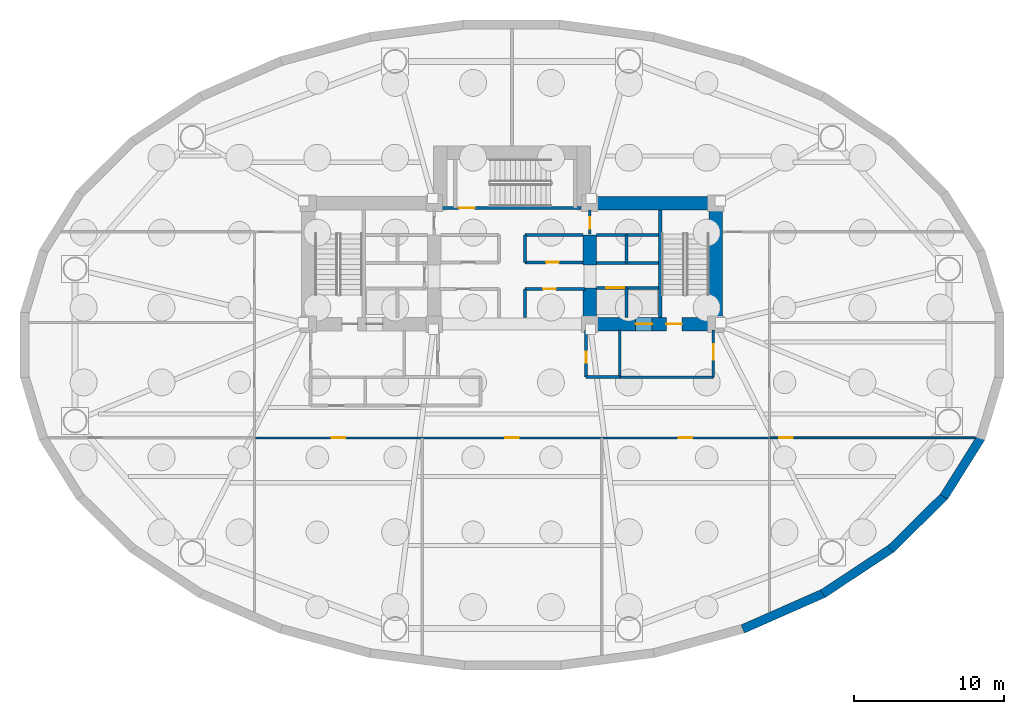
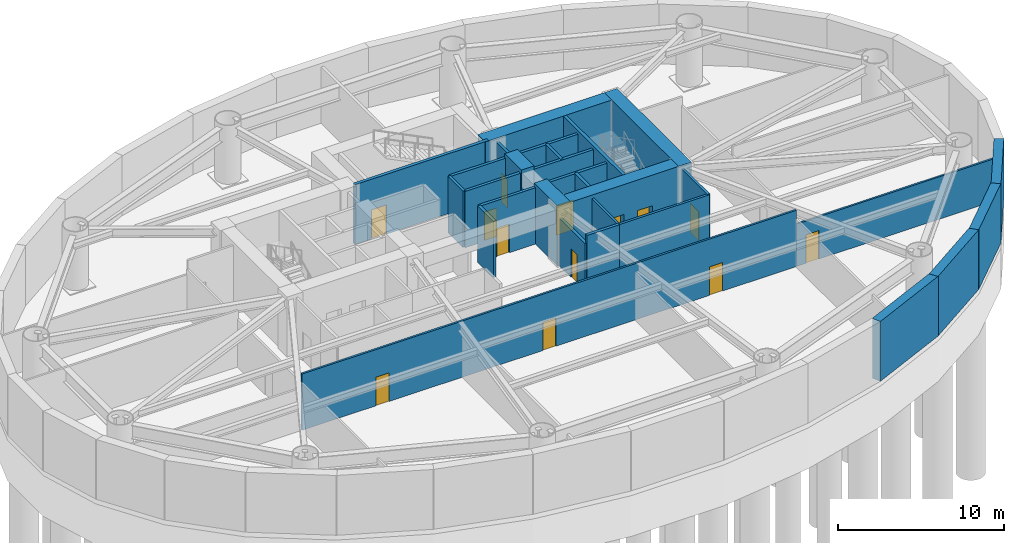
# One storey, part 4 of 7: 29 walls, 13 doors, 13 openings.
"""IFC4 building model written with IfcOpenShell, lengths in metres."""

from ifc_helpers import new_model, si_unit, direction, frame, frame_2d, origin, place, context, subcontext, project, spatial, rectangle, extrude, material, layer, layer_set, type_object, element, fill, save


model = new_model("IFC4")

# Units and contexts
model_context = context("Model", 3, precision=1e-05, world=origin(), true_north=direction((0.0, 1.0)))
body_context = subcontext(model_context, "Body", "Model", "MODEL_VIEW")
ifc_project = project(units=[si_unit("LENGTHUNIT", "METRE"), si_unit("AREAUNIT", "SQUARE_METRE"), si_unit("VOLUMEUNIT", "CUBIC_METRE"), si_unit("PLANEANGLEUNIT", "RADIAN"), si_unit("MASSUNIT", "GRAM", prefix="KILO")], contexts=[model_context])

# Site, building, storey
site_placement = place(None, origin())
site = spatial("IfcSite", under=ifc_project, at=site_placement, CompositionType="ELEMENT")
building_placement = place(site_placement, origin())
building = spatial("IfcBuilding", under=site, at=building_placement, Name="Keldmark Tower", CompositionType="ELEMENT")
storey_placement = place(building_placement, frame((0.0, 0.0, -8.800048828125)))
storey = spatial("IfcBuildingStorey", under=building, at=storey_placement, Name="B02", CompositionType="ELEMENT", Elevation=-8.800048828125)

# Wall, openings, doors
ifc_material_1 = material(Name="Acoustic Double-Layer Gypsum Corridor Partition", Category="gypsum")
ifc_layer_1 = layer(ifc_material_1, 0.139892578125)
ifc_layer_set_1 = layer_set([ifc_layer_1], Name="Acoustic Double-Layer Gypsum Corridor Partition")
wall_type_1 = type_object("IfcWallType", Name="Acoustic Corridor Partition 140 mm", PredefinedType="PARTITIONING", material=ifc_layer_set_1)
wall_1_placement = place(storey_placement, frame((-17.199951171875, -6.199951171875, 0.0), z_axis=(0.0, 0.0, 1.0), x_axis=(1.0, 0.0, 0.0)))
wall_1 = element("IfcWall", 1, at=wall_1_placement, inside=storey, type_object=wall_type_1, Name="B02 Acoustic Corridor Partition 140 mm COR-S", PredefinedType="PARTITIONING", context=body_context, shape_type="SweptSolid", body=[
    extrude(rectangle(XDim=34.39990234375, YDim=0.139892578125, at=frame_2d((17.199951171875, 0.0))), origin(), (0.0, 0.0, 1.0), 4.14013671875),
])
opening_1_placement = place(wall_1_placement, frame((5.14990234375, 0.0, 0.0)))
opening_1 = element("IfcOpeningElement", 2, at=opening_1_placement, cuts=wall_1, Name="Opening D-IN090", PredefinedType="OPENING", context=body_context, shape_type="SweptSolid", body=[
    extrude(rectangle(XDim=0.89990234375, YDim=2.10009765625, at=frame_2d((0.449951171875, 1.050048828125))), frame((0.0, 0.079833984375, 0.0), z_axis=(0.0, -1.0, 0.0), x_axis=(1.0, 0.0, 0.0)), (0.0, 0.0, 1.0), 0.159912109375),
])
opening_2_placement = place(wall_1_placement, frame((16.75, 0.0, 0.0)))
opening_2 = element("IfcOpeningElement", 3, at=opening_2_placement, cuts=wall_1, Name="Opening D-IN090", PredefinedType="OPENING", context=body_context, shape_type="SweptSolid", body=[
    extrude(rectangle(XDim=0.89990234375, YDim=2.10009765625, at=frame_2d((0.449951171875, 1.050048828125))), frame((0.0, 0.079833984375, 0.0), z_axis=(0.0, -1.0, 0.0), x_axis=(1.0, 0.0, 0.0)), (0.0, 0.0, 1.0), 0.159912109375),
])
opening_3_placement = place(wall_1_placement, frame((28.35009765625, 0.0, 0.0)))
opening_3 = element("IfcOpeningElement", 4, at=opening_3_placement, cuts=wall_1, Name="Opening D-IN090", PredefinedType="OPENING", context=body_context, shape_type="SweptSolid", body=[
    extrude(rectangle(XDim=0.89990234375, YDim=2.10009765625, at=frame_2d((0.449951171875, 1.050048828125))), frame((0.0, 0.079833984375, 0.0), z_axis=(0.0, -1.0, 0.0), x_axis=(1.0, 0.0, 0.0)), (0.0, 0.0, 1.0), 0.159912109375),
])
ifc_material_2 = material(Name="Stained American White Oak Veneer", Category="wood")
door_type_1 = type_object("IfcDoorType", Name="Interior Door 900x2100", OperationType="NOTDEFINED", PredefinedType="DOOR", material=ifc_material_2)
door_1_placement = place(opening_1_placement, origin())
door_1 = element("IfcDoor", 5, at=door_1_placement, inside=storey, type_object=door_type_1, Name="B02 Interior Door 900x2100 D-SR-1-B02", OperationType="SINGLE_SWING_LEFT", OverallHeight=2.10009765625, OverallWidth=0.89990234375, PredefinedType="DOOR", context=body_context, shape_type="SweptSolid", body=[
    extrude(rectangle(XDim=0.89990234375, YDim=2.10009765625, at=frame_2d((0.449951171875, 1.050048828125))), frame((0.0, 0.02490234375, 0.0), z_axis=(0.0, -1.0, 0.0), x_axis=(1.0, 0.0, 0.0)), (0.0, 0.0, 1.0), 0.050048828125),
])
fill(opening_1, door_1)
door_2_placement = place(opening_2_placement, origin())
door_2 = element("IfcDoor", 6, at=door_2_placement, inside=storey, type_object=door_type_1, Name="B02 Interior Door 900x2100 D-SR-2-B02", OperationType="SINGLE_SWING_RIGHT", OverallHeight=2.10009765625, OverallWidth=0.89990234375, PredefinedType="DOOR", context=body_context, shape_type="SweptSolid", body=[
    extrude(rectangle(XDim=0.89990234375, YDim=2.10009765625, at=frame_2d((0.449951171875, 1.050048828125))), frame((0.0, 0.02490234375, 0.0), z_axis=(0.0, -1.0, 0.0), x_axis=(1.0, 0.0, 0.0)), (0.0, 0.0, 1.0), 0.050048828125),
])
fill(opening_2, door_2)
door_3_placement = place(opening_3_placement, origin())
door_3 = element("IfcDoor", 7, at=door_3_placement, inside=storey, type_object=door_type_1, Name="B02 Interior Door 900x2100 D-SR-3-B02", OperationType="SINGLE_SWING_LEFT", OverallHeight=2.10009765625, OverallWidth=0.89990234375, PredefinedType="DOOR", context=body_context, shape_type="SweptSolid", body=[
    extrude(rectangle(XDim=0.89990234375, YDim=2.10009765625, at=frame_2d((0.449951171875, 1.050048828125))), frame((0.0, 0.02490234375, 0.0), z_axis=(0.0, -1.0, 0.0), x_axis=(1.0, 0.0, 0.0)), (0.0, 0.0, 1.0), 0.050048828125),
])
fill(opening_3, door_3)

# Walls
ifc_material_3 = material(Name="Concrete C50/60", Category="concrete")
ifc_layer_2 = layer(ifc_material_3, 0.60009765625)
ifc_layer_set_2 = layer_set([ifc_layer_2], Name="Concrete C50/60")
wall_type_2 = type_object("IfcWallType", Name="Basement Retaining Wall 600 mm", PredefinedType="USERDEFINED", material=ifc_layer_set_2)
wall_2_placement = place(storey_placement, frame((15.407470703125, -18.963623046875, 0.0), z_axis=(0.0, 0.0, 1.0), x_axis=(0.91483072277, 0.403837527574, 0.0)))
element("IfcWall", 8, at=wall_2_placement, inside=storey, type_object=wall_type_2, Name="B02 Perimeter Retaining Wall 27", ObjectType="RETAINING WALL", PredefinedType="USERDEFINED", context=body_context, shape_type="SweptSolid", body=[
    extrude(rectangle(XDim=5.939697265625, YDim=0.60009765625, at=frame_2d((2.9697265625, 0.0))), origin(), (0.0, 0.0, 1.0), 4.400146484375),
])
wall_3_placement = place(storey_placement, frame((20.74462890625, -16.617919921875, 0.0), z_axis=(0.0, 0.0, 1.0), x_axis=(0.834367518908, 0.551208529861, 0.0)))
element("IfcWall", 9, at=wall_3_placement, inside=storey, type_object=wall_type_2, Name="B02 Perimeter Retaining Wall 28", ObjectType="RETAINING WALL", PredefinedType="USERDEFINED", context=body_context, shape_type="SweptSolid", body=[
    extrude(rectangle(XDim=5.542236328125, YDim=0.60009765625, at=frame_2d((2.77099609375, 0.0))), origin(), (0.0, 0.0, 1.0), 4.400146484375),
])
wall_4_placement = place(storey_placement, frame((25.277099609375, -13.6376953125, 0.0), z_axis=(0.0, 0.0, 1.0), x_axis=(0.711105403666, 0.70308541791, 0.0)))
element("IfcWall", 10, at=wall_4_placement, inside=storey, type_object=wall_type_2, Name="B02 Perimeter Retaining Wall 29", ObjectType="RETAINING WALL", PredefinedType="USERDEFINED", context=body_context, shape_type="SweptSolid", body=[
    extrude(rectangle(XDim=5.1142578125, YDim=0.60009765625, at=frame_2d((2.55712890625, 0.0))), origin(), (0.0, 0.0, 1.0), 4.400146484375),
])
wall_5_placement = place(storey_placement, frame((28.833251953125, -10.142333984375, 0.0), z_axis=(0.0, 0.0, 1.0), x_axis=(0.531244363113, 0.847218641592, 0.0)))
element("IfcWall", 11, at=wall_5_placement, inside=storey, type_object=wall_type_2, Name="B02 Perimeter Retaining Wall 30", ObjectType="RETAINING WALL", PredefinedType="USERDEFINED", context=body_context, shape_type="SweptSolid", body=[
    extrude(rectangle(XDim=4.72021484375, YDim=0.60009765625, at=frame_2d((2.360107421875, 0.0))), origin(), (0.0, 0.0, 1.0), 4.400146484375),
])

# Wall, opening, door
ifc_material_4 = material(Name="Acoustic Gypsum Board Interior Partition", Category="gypsum")
ifc_layer_3 = layer(ifc_material_4, 0.1298828125)
ifc_layer_set_3 = layer_set([ifc_layer_3], Name="Acoustic Gypsum Board Interior Partition")
wall_type_3 = type_object("IfcWallType", Name="Interior Partition 130 mm", PredefinedType="PARTITIONING", material=ifc_layer_set_3)
wall_6_placement = place(storey_placement, frame((17.199951171875, -6.199951171875, 0.0), z_axis=(0.0, 0.0, 1.0), x_axis=(1.0, 0.0, 0.0)))
wall_6 = element("IfcWall", 12, at=wall_6_placement, inside=storey, type_object=wall_type_3, Name="B02 Interior Partition 130 mm E-CAP-S", PredefinedType="PARTITIONING", context=body_context, shape_type="SweptSolid", body=[
    extrude(rectangle(XDim=13.741943359375, YDim=0.1298828125, at=frame_2d((6.87109375, 0.0))), origin(), (0.0, 0.0, 1.0), 3.1181640625),
])
opening_4_placement = place(wall_6_placement, frame((0.64990234375, 0.0, 0.0)))
opening_4 = element("IfcOpeningElement", 13, at=opening_4_placement, cuts=wall_6, Name="Opening D-IN090", PredefinedType="OPENING", context=body_context, shape_type="SweptSolid", body=[
    extrude(rectangle(XDim=0.89990234375, YDim=2.10009765625, at=frame_2d((0.449951171875, 1.050048828125))), frame((0.0, 0.074951171875, 0.0), z_axis=(0.0, -1.0, 0.0), x_axis=(1.0, 0.0, 0.0)), (0.0, 0.0, 1.0), 0.14990234375),
])
door_4_placement = place(opening_4_placement, origin())
door_4 = element("IfcDoor", 14, at=door_4_placement, inside=storey, type_object=door_type_1, Name="B02 Interior Door 900x2100 D-ERSE-B02", OperationType="SINGLE_SWING_RIGHT", OverallHeight=2.10009765625, OverallWidth=0.89990234375, PredefinedType="DOOR", context=body_context, shape_type="SweptSolid", body=[
    extrude(rectangle(XDim=0.89990234375, YDim=2.10009765625, at=frame_2d((0.449951171875, 1.050048828125))), frame((0.0, 0.02490234375, 0.0), z_axis=(0.0, -1.0, 0.0), x_axis=(1.0, 0.0, 0.0)), (0.0, 0.0, 1.0), 0.050048828125),
])
fill(opening_4, door_4)

# Walls
ifc_material_5 = material(Name="Concrete C70/85", Category="concrete")
ifc_layer_4 = layer(ifc_material_5, 0.89990234375)
ifc_layer_set_4 = layer_set([ifc_layer_4], Name="Concrete C70/85")
wall_type_4 = type_object("IfcWallType", Name="Lower Core Shear Wall 900 mm", PredefinedType="SHEAR", material=ifc_layer_set_4)
wall_7_placement = place(storey_placement, frame((13.60009765625, 0.949951171875, 0.0), z_axis=(0.0, 0.0, 1.0), x_axis=(0.0, 1.0, 0.0)))
element("IfcWall", 15, at=wall_7_placement, inside=storey, type_object=wall_type_4, Name="B02 East Core Outer Shear Wall", PredefinedType="SHEAR", context=body_context, shape_type="SweptSolid", body=[
    extrude(rectangle(XDim=8.949951171875, YDim=0.89990234375, at=frame_2d((4.47509765625, 0.0))), origin(), (0.0, 0.0, 1.0), 4.400146484375),
])
wall_8_placement = place(storey_placement, frame((4.35009765625, 9.449951171875, 0.0), z_axis=(0.0, 0.0, 1.0), x_axis=(1.0, 0.0, 0.0)))
element("IfcWall", 16, at=wall_8_placement, inside=storey, type_object=wall_type_4, Name="B02 East Core North Shear Wall", PredefinedType="SHEAR", context=body_context, shape_type="SweptSolid", body=[
    extrude(rectangle(XDim=9.699951171875, YDim=0.89990234375, at=frame_2d((4.85009765625, 0.0))), origin(), (0.0, 0.0, 1.0), 4.400146484375),
])

# Wall, openings, doors
wall_9_placement = place(storey_placement, frame((14.050048828125, 1.39990234375, 0.0), z_axis=(0.0, 0.0, 1.0), x_axis=(-1.0, 0.0, 0.0)))
wall_9 = element("IfcWall", 17, at=wall_9_placement, inside=storey, type_object=wall_type_4, Name="B02 East Core South Shear Wall", PredefinedType="SHEAR", context=body_context, shape_type="SweptSolid", body=[
    extrude(rectangle(XDim=9.300048828125, YDim=0.89990234375, at=frame_2d((4.64990234375, 0.0))), origin(), (0.0, 0.0, 1.0), 4.400146484375),
])
opening_5_placement = place(wall_9_placement, frame((2.699951171875, 0.0, 0.0)))
opening_5 = element("IfcOpeningElement", 18, at=opening_5_placement, cuts=wall_9, Name="Opening D-ST105", PredefinedType="OPENING", context=body_context, shape_type="SweptSolid", body=[
    extrude(rectangle(XDim=1.050048828125, YDim=2.14990234375, at=frame_2d((0.52490234375, 1.074951171875))), frame((0.0, 0.4599609375, 0.0), z_axis=(0.0, -1.0, 0.0), x_axis=(1.0, 0.0, 0.0)), (0.0, 0.0, 1.0), 0.919921875),
])
opening_6_placement = place(wall_9_placement, frame((4.699951171875, 0.0, 0.0)))
opening_6 = element("IfcOpeningElement", 19, at=opening_6_placement, cuts=wall_9, Name="Opening LD-110", PredefinedType="OPENING", context=body_context, shape_type="SweptSolid", body=[
    extrude(rectangle(XDim=1.10009765625, YDim=2.199951171875, at=frame_2d((0.550048828125, 1.10009765625))), frame((0.0, 0.4599609375, 0.0), z_axis=(0.0, -1.0, 0.0), x_axis=(1.0, 0.0, 0.0)), (0.0, 0.0, 1.0), 0.919921875),
])
ifc_material_6 = material(Name="Brushed Bronze Hoistway Sliding Leaf", Category="metal")
door_type_2 = type_object("IfcDoorType", Name="Lift Landing Sliding Door 1100x2200", OperationType="SLIDING_TO_LEFT", PredefinedType="DOOR", material=ifc_material_6)
door_5_placement = place(opening_6_placement, origin())
door_5 = element("IfcDoor", 20, at=door_5_placement, inside=storey, type_object=door_type_2, Name="B02 Lift Landing Sliding Door 1100x2200 LD-EL-FS2-B02", OperationType="SLIDING_TO_LEFT", OverallHeight=2.199951171875, OverallWidth=1.10009765625, PredefinedType="DOOR", context=body_context, shape_type="SweptSolid", body=[
    extrude(rectangle(XDim=1.10009765625, YDim=2.199951171875, at=frame_2d((0.550048828125, 1.10009765625))), frame((0.0, 0.02490234375, 0.0), z_axis=(0.0, -1.0, 0.0), x_axis=(1.0, 0.0, 0.0)), (0.0, 0.0, 1.0), 0.050048828125),
])
fill(opening_6, door_5)
ifc_material_7 = material(Name="Hollow Metal Fire-Rated Door Assembly", Category="metal")
door_type_3 = type_object("IfcDoorType", Name="Stair Fire Door 1050x2150", OperationType="NOTDEFINED", PredefinedType="DOOR", material=ifc_material_7)
door_6_placement = place(opening_5_placement, origin())
door_6 = element("IfcDoor", 21, at=door_6_placement, inside=storey, type_object=door_type_3, Name="B02 Stair Fire Door 1050x2150 D-ST2-B02", OperationType="SINGLE_SWING_LEFT", OverallHeight=2.14990234375, OverallWidth=1.050048828125, PredefinedType="DOOR", context=body_context, shape_type="SweptSolid", body=[
    extrude(rectangle(XDim=1.050048828125, YDim=2.14990234375, at=frame_2d((0.52490234375, 1.074951171875))), frame((0.0, 0.02490234375, 0.0), z_axis=(0.0, -1.0, 0.0), x_axis=(1.0, 0.0, 0.0)), (0.0, 0.0, 1.0), 0.050048828125),
])
fill(opening_5, door_6)

# Walls
wall_10_placement = place(storey_placement, frame((5.199951171875, 0.949951171875, 0.0), z_axis=(0.0, 0.0, 1.0), x_axis=(0.0, 1.0, 0.0)))
element("IfcWall", 22, at=wall_10_placement, inside=storey, type_object=wall_type_4, Name="B02 East Core Inner Shear Pier South", PredefinedType="SHEAR", context=body_context, shape_type="SweptSolid", body=[
    extrude(rectangle(XDim=2.85009765625, YDim=0.89990234375, at=frame_2d((1.425048828125, 0.0))), origin(), (0.0, 0.0, 1.0), 4.400146484375),
])
wall_11_placement = place(storey_placement, frame((5.199951171875, 5.35009765625, 0.0), z_axis=(0.0, 0.0, 1.0), x_axis=(0.0, 1.0, 0.0)))
element("IfcWall", 23, at=wall_11_placement, inside=storey, type_object=wall_type_4, Name="B02 East Core Inner Shear Pier North", PredefinedType="SHEAR", context=body_context, shape_type="SweptSolid", body=[
    extrude(rectangle(XDim=2.0, YDim=0.89990234375, at=frame_2d((1.0, 0.0))), origin(), (0.0, 0.0, 1.0), 4.400146484375),
])
ifc_material_8 = material(Name="Type X Fire-Rated Gypsum Partition Assembly", Category="gypsum")
ifc_layer_5 = layer(ifc_material_8, 0.1650390625)
ifc_layer_set_5 = layer_set([ifc_layer_5], Name="Type X Fire-Rated Gypsum Partition Assembly")
wall_type_5 = type_object("IfcWallType", Name="Rated Partition 165 mm", PredefinedType="PARTITIONING", material=ifc_layer_set_5)
wall_12_placement = place(storey_placement, frame((7.199951171875, -2.14990234375, 0.0), z_axis=(0.0, 0.0, 1.0), x_axis=(1.0, 0.0, 0.0)))
element("IfcWall", 24, at=wall_12_placement, inside=storey, type_object=wall_type_5, Name="B02 Rated Partition 165 mm FSAE-E-S", PredefinedType="PARTITIONING", context=body_context, shape_type="SweptSolid", body=[
    extrude(rectangle(XDim=6.25, YDim=0.1650390625, at=frame_2d((3.125, 0.0))), origin(), (0.0, 0.0, 1.0), 4.14013671875),
])
wall_13_placement = place(storey_placement, frame((7.199951171875, -2.14990234375, 0.0), z_axis=(0.0, 0.0, 1.0), x_axis=(0.0, 1.0, 0.0)))
element("IfcWall", 25, at=wall_13_placement, inside=storey, type_object=wall_type_5, Name="B02 Rated Partition 165 mm FSAE-E-W", PredefinedType="PARTITIONING", context=body_context, shape_type="SweptSolid", body=[
    extrude(rectangle(XDim=3.14990234375, YDim=0.1650390625, at=frame_2d((1.574951171875, 0.0))), origin(), (0.0, 0.0, 1.0), 4.14013671875),
])

# Wall, opening, door
wall_14_placement = place(storey_placement, frame((13.449951171875, -2.14990234375, 0.0), z_axis=(0.0, 0.0, 1.0), x_axis=(0.0, 1.0, 0.0)))
wall_14 = element("IfcWall", 26, at=wall_14_placement, inside=storey, type_object=wall_type_5, Name="B02 Rated Partition 165 mm FSAE-E-E", PredefinedType="PARTITIONING", context=body_context, shape_type="SweptSolid", body=[
    extrude(rectangle(XDim=3.14990234375, YDim=0.1650390625, at=frame_2d((1.574951171875, 0.0))), origin(), (0.0, 0.0, 1.0), 4.14013671875),
])
opening_7_placement = place(wall_14_placement, frame((1.14990234375, 0.0, 0.0)))
opening_7 = element("IfcOpeningElement", 27, at=opening_7_placement, cuts=wall_14, Name="Opening D-FL105", PredefinedType="OPENING", context=body_context, shape_type="SweptSolid", body=[
    extrude(rectangle(XDim=1.050048828125, YDim=2.14990234375, at=frame_2d((0.52490234375, 1.074951171875))), frame((0.0, 0.092529296875, 0.0), z_axis=(0.0, -1.0, 0.0), x_axis=(1.0, 0.0, 0.0)), (0.0, 0.0, 1.0), 0.18505859375),
])
ifc_material_9 = material(Name="Fire-Rated Mineral-Core Door and Vision Lite", Category="metal")
door_type_4 = type_object("IfcDoorType", Name="Fire Lobby Door 1050x2150", OperationType="NOTDEFINED", PredefinedType="DOOR", material=ifc_material_9)
door_7_placement = place(opening_7_placement, origin())
door_7 = element("IfcDoor", 28, at=door_7_placement, inside=storey, type_object=door_type_4, Name="B02 Fire Lobby Door 1050x2150 D-FSAEE-OUT-B02", OperationType="SINGLE_SWING_LEFT", OverallHeight=2.14990234375, OverallWidth=1.050048828125, PredefinedType="DOOR", context=body_context, shape_type="SweptSolid", body=[
    extrude(rectangle(XDim=1.050048828125, YDim=2.14990234375, at=frame_2d((0.52490234375, 1.074951171875))), frame((0.0, 0.02490234375, 0.0), z_axis=(0.0, -1.0, 0.0), x_axis=(1.0, 0.0, 0.0)), (0.0, 0.0, 1.0), 0.050048828125),
])
fill(opening_7, door_7)

wall_15_placement = place(storey_placement, frame((5.199951171875, 7.419921875, 0.0), z_axis=(0.0, 0.0, 1.0), x_axis=(0.0, 1.0, 0.0)))
wall_15 = element("IfcWall", 29, at=wall_15_placement, inside=storey, type_object=wall_type_5, Name="B02 Rated Partition 165 mm CS-NE-W", PredefinedType="PARTITIONING", context=body_context, shape_type="SweptSolid", body=[
    extrude(rectangle(XDim=1.580078125, YDim=0.1650390625, at=frame_2d((0.7900390625, 0.0))), origin(), (0.0, 0.0, 1.0), 4.14013671875),
])
opening_8_placement = place(wall_15_placement, frame((0.35009765625, 0.0, 0.0)))
opening_8 = element("IfcOpeningElement", 30, at=opening_8_placement, cuts=wall_15, Name="Opening D-RS075", PredefinedType="OPENING", context=body_context, shape_type="SweptSolid", body=[
    extrude(rectangle(XDim=0.75, YDim=2.10009765625, at=frame_2d((0.375, 1.050048828125))), frame((0.0, 0.092529296875, 0.0), z_axis=(0.0, -1.0, 0.0), x_axis=(1.0, 0.0, 0.0)), (0.0, 0.0, 1.0), 0.18505859375),
])
ifc_material_10 = material(Name="Galvanized Fire-Rated Access Leaf", Category="metal")
door_type_5 = type_object("IfcDoorType", Name="Riser Access Door 750x2100", OperationType="NOTDEFINED", PredefinedType="DOOR", material=ifc_material_10)
door_8_placement = place(opening_8_placement, origin())
door_8 = element("IfcDoor", 31, at=door_8_placement, inside=storey, type_object=door_type_5, Name="B02 Riser Access Door 750x2100 D-CSNE1-B02", OperationType="SINGLE_SWING_LEFT", OverallHeight=2.10009765625, OverallWidth=0.75, PredefinedType="DOOR", context=body_context, shape_type="SweptSolid", body=[
    extrude(rectangle(XDim=0.75, YDim=2.10009765625, at=frame_2d((0.375, 1.050048828125))), frame((0.0, 0.02490234375, 0.0), z_axis=(0.0, -1.0, 0.0), x_axis=(1.0, 0.0, 0.0)), (0.0, 0.0, 1.0), 0.050048828125),
])
fill(opening_8, door_8)

# Wall
ifc_material_11 = material(Name="Fire-Resistant Type X Gypsum Shaftliner Coreboard", Category="gypsum")
ifc_layer_6 = layer(ifc_material_11, 0.199951171875)
ifc_layer_set_6 = layer_set([ifc_layer_6], Name="Fire-Resistant Type X Gypsum Shaftliner Coreboard")
wall_type_6 = type_object("IfcWallType", Name="Shaft Wall 200 mm", PredefinedType="SOLIDWALL", material=ifc_layer_set_6)
wall_16_placement = place(storey_placement, frame((4.949951171875, -2.14990234375, 0.0), z_axis=(0.0, 0.0, 1.0), x_axis=(1.0, 0.0, 0.0)))
element("IfcWall", 32, at=wall_16_placement, inside=storey, type_object=wall_type_6, Name="B02 Shaft Wall 200 mm RIS-SE-S", PredefinedType="SOLIDWALL", context=body_context, shape_type="SweptSolid", body=[
    extrude(rectangle(XDim=2.25, YDim=0.199951171875, at=frame_2d((1.125, 0.0))), origin(), (0.0, 0.0, 1.0), 4.14013671875),
])

# Wall, opening, door
wall_17_placement = place(storey_placement, frame((4.949951171875, -2.14990234375, 0.0), z_axis=(0.0, 0.0, 1.0), x_axis=(0.0, 1.0, 0.0)))
wall_17 = element("IfcWall", 33, at=wall_17_placement, inside=storey, type_object=wall_type_6, Name="B02 Shaft Wall 200 mm RIS-SE-W", PredefinedType="SOLIDWALL", context=body_context, shape_type="SweptSolid", body=[
    extrude(rectangle(XDim=3.14990234375, YDim=0.199951171875, at=frame_2d((1.574951171875, 0.0))), origin(), (0.0, 0.0, 1.0), 3.508056640625),
])
opening_9_placement = place(wall_17_placement, frame((0.949951171875, 0.0, 0.0)))
opening_9 = element("IfcOpeningElement", 34, at=opening_9_placement, cuts=wall_17, Name="Opening D-RS075", PredefinedType="OPENING", context=body_context, shape_type="SweptSolid", body=[
    extrude(rectangle(XDim=0.75, YDim=2.10009765625, at=frame_2d((0.375, 1.050048828125))), frame((0.0, 0.10986328125, 0.0), z_axis=(0.0, -1.0, 0.0), x_axis=(1.0, 0.0, 0.0)), (0.0, 0.0, 1.0), 0.219970703125),
])
door_9_placement = place(opening_9_placement, origin())
door_9 = element("IfcDoor", 35, at=door_9_placement, inside=storey, type_object=door_type_5, Name="B02 Riser Access Door 750x2100 D-RISSE-B02", OperationType="SINGLE_SWING_LEFT", OverallHeight=2.10009765625, OverallWidth=0.75, PredefinedType="DOOR", context=body_context, shape_type="SweptSolid", body=[
    extrude(rectangle(XDim=0.75, YDim=2.10009765625, at=frame_2d((0.375, 1.050048828125))), frame((0.0, 0.02490234375, 0.0), z_axis=(0.0, -1.0, 0.0), x_axis=(1.0, 0.0, 0.0)), (0.0, 0.0, 1.0), 0.050048828125),
])
fill(opening_9, door_9)

wall_18_placement = place(storey_placement, frame((5.64990234375, 3.820068359375, 0.0), z_axis=(0.0, 0.0, 1.0), x_axis=(1.0, 0.0, 0.0)))
wall_18 = element("IfcWall", 36, at=wall_18_placement, inside=storey, type_object=wall_type_6, Name="B02 Shaft Wall 200 mm HW-E-S", PredefinedType="SOLIDWALL", context=body_context, shape_type="SweptSolid", body=[
    extrude(rectangle(XDim=4.130126953125, YDim=0.199951171875, at=frame_2d((2.06494140625, 0.0))), origin(), (0.0, 0.0, 1.0), 4.14013671875),
])
opening_10_placement = place(wall_18_placement, frame((0.64990234375, 0.0, 0.0)))
opening_10 = element("IfcOpeningElement", 37, at=opening_10_placement, cuts=wall_18, Name="Opening LD-120", PredefinedType="OPENING", context=body_context, shape_type="SweptSolid", body=[
    extrude(rectangle(XDim=1.199951171875, YDim=2.199951171875, at=frame_2d((0.60009765625, 1.10009765625))), frame((0.0, 0.10986328125, 0.0), z_axis=(0.0, -1.0, 0.0), x_axis=(1.0, 0.0, 0.0)), (0.0, 0.0, 1.0), 0.219970703125),
])
ifc_material_12 = material(Name="Heavy-Duty Brushed Metal Hoistway Sliding Leaf", Category="metal")
door_type_6 = type_object("IfcDoorType", Name="Service Lift Sliding Door 1200x2200", OperationType="SLIDING_TO_RIGHT", PredefinedType="DOOR", material=ifc_material_12)
door_10_placement = place(opening_10_placement, origin())
door_10 = element("IfcDoor", 38, at=door_10_placement, inside=storey, type_object=door_type_6, Name="B02 Service Lift Sliding Door 1200x2200 LD-EL-SV1-B02", OperationType="SLIDING_TO_RIGHT", OverallHeight=2.199951171875, OverallWidth=1.199951171875, PredefinedType="DOOR", context=body_context, shape_type="SweptSolid", body=[
    extrude(rectangle(XDim=1.199951171875, YDim=2.199951171875, at=frame_2d((0.60009765625, 1.10009765625))), frame((0.0, 0.02490234375, 0.0), z_axis=(0.0, -1.0, 0.0), x_axis=(1.0, 0.0, 0.0)), (0.0, 0.0, 1.0), 0.050048828125),
])
fill(opening_10, door_10)

# Walls
wall_19_placement = place(storey_placement, frame((7.64990234375, 1.85009765625, 0.0), z_axis=(0.0, 0.0, 1.0), x_axis=(0.0, 1.0, 0.0)))
element("IfcWall", 39, at=wall_19_placement, inside=storey, type_object=wall_type_6, Name="B02 Shaft Wall 200 mm HW-E-M", PredefinedType="SOLIDWALL", context=body_context, shape_type="SweptSolid", body=[
    extrude(rectangle(XDim=1.969970703125, YDim=0.199951171875, at=frame_2d((0.98486328125, 0.0))), origin(), (0.0, 0.0, 1.0), 4.14013671875),
])
for number, where, z_axis, x_axis, name in (
    (40, (5.64990234375, 5.469970703125, 0.0), (0.0, 0.0, 1.0), (1.0, 0.0, 0.0), "B02 Shaft Wall 200 mm HW-E-N"),
    (41, (5.64990234375, 7.330078125, 0.0), (0.0, 0.0, 1.0), (1.0, 0.0, 0.0), "B02 Shaft Wall 200 mm HW-E-TOP"),
):
    element("IfcWall", number, at=place(storey_placement, frame(where, z_axis=z_axis, x_axis=x_axis)), inside=storey, type_object=wall_type_6, Name=name, PredefinedType="SOLIDWALL", context=body_context, shape_type="SweptSolid", body=[
        extrude(rectangle(XDim=4.130126953125, YDim=0.199951171875, at=frame_2d((2.06494140625, 0.0))), origin(), (0.0, 0.0, 1.0), 4.14013671875),
    ])
wall_20_placement = place(storey_placement, frame((7.64990234375, 5.469970703125, 0.0), z_axis=(0.0, 0.0, 1.0), x_axis=(0.0, 1.0, 0.0)))
element("IfcWall", 42, at=wall_20_placement, inside=storey, type_object=wall_type_6, Name="B02 Shaft Wall 200 mm HW-E-NM", PredefinedType="SOLIDWALL", context=body_context, shape_type="SweptSolid", body=[
    extrude(rectangle(XDim=1.860107421875, YDim=0.199951171875, at=frame_2d((0.93017578125, 0.0))), origin(), (0.0, 0.0, 1.0), 4.14013671875),
])

# Wall, opening, door
wall_21_placement = place(storey_placement, frame((0.8798828125, 3.739990234375, 0.0), z_axis=(0.0, 0.0, 1.0), x_axis=(1.0, 0.0, 0.0)))
wall_21 = element("IfcWall", 43, at=wall_21_placement, inside=storey, type_object=wall_type_6, Name="B02 Shaft Wall 200 mm LOW-B-E", PredefinedType="SOLIDWALL", context=body_context, shape_type="SweptSolid", body=[
    extrude(rectangle(XDim=4.0, YDim=0.199951171875, at=frame_2d((2.0, 0.0))), origin(), (0.0, 0.0, 1.0), 4.14013671875),
])
opening_11_placement = place(wall_21_placement, frame((1.199951171875, 0.0, 0.0)))
opening_11 = element("IfcOpeningElement", 44, at=opening_11_placement, cuts=wall_21, Name="Opening D-SV085", PredefinedType="OPENING", context=body_context, shape_type="SweptSolid", body=[
    extrude(rectangle(XDim=0.85009765625, YDim=2.10009765625, at=frame_2d((0.425048828125, 1.050048828125))), frame((0.0, 0.10986328125, 0.0), z_axis=(0.0, -1.0, 0.0), x_axis=(1.0, 0.0, 0.0)), (0.0, 0.0, 1.0), 0.219970703125),
])
ifc_material_13 = material(Name="Painted Hollow Metal Door Assembly", Category="metal")
door_type_7 = type_object("IfcDoorType", Name="Service Door 850x2100", OperationType="NOTDEFINED", PredefinedType="DOOR", material=ifc_material_13)
door_11_placement = place(opening_11_placement, origin())
door_11 = element("IfcDoor", 45, at=door_11_placement, inside=storey, type_object=door_type_7, Name="B02 Service Door 850x2100 D-PITLE-B02", OperationType="SINGLE_SWING_RIGHT", OverallHeight=2.10009765625, OverallWidth=0.85009765625, PredefinedType="DOOR", context=body_context, shape_type="SweptSolid", body=[
    extrude(rectangle(XDim=0.85009765625, YDim=2.10009765625, at=frame_2d((0.425048828125, 1.050048828125))), frame((0.0, 0.02490234375, 0.0), z_axis=(0.0, -1.0, 0.0), x_axis=(1.0, 0.0, 0.0)), (0.0, 0.0, 1.0), 0.050048828125),
])
fill(opening_11, door_11)

# Wall
wall_22_placement = place(storey_placement, frame((0.8798828125, 1.85009765625, 0.0), z_axis=(0.0, 0.0, 1.0), x_axis=(0.0, 1.0, 0.0)))
element("IfcWall", 46, at=wall_22_placement, inside=storey, type_object=wall_type_6, Name="B02 Shaft Wall 200 mm LOW-B-CE", PredefinedType="SOLIDWALL", context=body_context, shape_type="SweptSolid", body=[
    extrude(rectangle(XDim=1.889892578125, YDim=0.199951171875, at=frame_2d((0.94482421875, 0.0))), origin(), (0.0, 0.0, 1.0), 4.14013671875),
])

# Wall, opening, door
wall_23_placement = place(storey_placement, frame((0.8798828125, 5.52001953125, 0.0), z_axis=(0.0, 0.0, 1.0), x_axis=(1.0, 0.0, 0.0)))
wall_23 = element("IfcWall", 47, at=wall_23_placement, inside=storey, type_object=wall_type_6, Name="B02 Shaft Wall 200 mm MID-B-SE", PredefinedType="SOLIDWALL", context=body_context, shape_type="SweptSolid", body=[
    extrude(rectangle(XDim=3.860107421875, YDim=0.199951171875, at=frame_2d((1.93017578125, 0.0))), origin(), (0.0, 0.0, 1.0), 4.14013671875),
])
opening_12_placement = place(wall_23_placement, frame((1.39990234375, 0.0, 0.0)))
opening_12 = element("IfcOpeningElement", 48, at=opening_12_placement, cuts=wall_23, Name="Opening D-SV085", PredefinedType="OPENING", context=body_context, shape_type="SweptSolid", body=[
    extrude(rectangle(XDim=0.85009765625, YDim=2.10009765625, at=frame_2d((0.425048828125, 1.050048828125))), frame((0.0, 0.10986328125, 0.0), z_axis=(0.0, -1.0, 0.0), x_axis=(1.0, 0.0, 0.0)), (0.0, 0.0, 1.0), 0.219970703125),
])
door_12_placement = place(opening_12_placement, origin())
door_12 = element("IfcDoor", 49, at=door_12_placement, inside=storey, type_object=door_type_7, Name="B02 Service Door 850x2100 D-PITME-B02", OperationType="SINGLE_SWING_RIGHT", OverallHeight=2.10009765625, OverallWidth=0.85009765625, PredefinedType="DOOR", context=body_context, shape_type="SweptSolid", body=[
    extrude(rectangle(XDim=0.85009765625, YDim=2.10009765625, at=frame_2d((0.425048828125, 1.050048828125))), frame((0.0, 0.02490234375, 0.0), z_axis=(0.0, -1.0, 0.0), x_axis=(1.0, 0.0, 0.0)), (0.0, 0.0, 1.0), 0.050048828125),
])
fill(opening_12, door_12)

# Walls
wall_24_placement = place(storey_placement, frame((0.8798828125, 7.330078125, 0.0), z_axis=(0.0, 0.0, 1.0), x_axis=(1.0, 0.0, 0.0)))
element("IfcWall", 50, at=wall_24_placement, inside=storey, type_object=wall_type_6, Name="B02 Shaft Wall 200 mm MID-B-NE", PredefinedType="SOLIDWALL", context=body_context, shape_type="SweptSolid", body=[
    extrude(rectangle(XDim=3.860107421875, YDim=0.199951171875, at=frame_2d((1.93017578125, 0.0))), origin(), (0.0, 0.0, 1.0), 4.14013671875),
])
wall_25_placement = place(storey_placement, frame((0.8798828125, 5.52001953125, 0.0), z_axis=(0.0, 0.0, 1.0), x_axis=(0.0, 1.0, 0.0)))
element("IfcWall", 51, at=wall_25_placement, inside=storey, type_object=wall_type_6, Name="B02 Shaft Wall 200 mm MID-B-CE", PredefinedType="SOLIDWALL", context=body_context, shape_type="SweptSolid", body=[
    extrude(rectangle(XDim=1.81005859375, YDim=0.199951171875, at=frame_2d((0.905029296875, 0.0))), origin(), (0.0, 0.0, 1.0), 4.14013671875),
])
ifc_material_14 = material(Name="Concrete C50/60", Category="concrete")
ifc_layer_7 = layer(ifc_material_14, 0.219970703125)
ifc_layer_set_7 = layer_set([ifc_layer_7], Name="Concrete C50/60")
wall_type_7 = type_object("IfcWallType", Name="Stair Core Shear Wall 220 mm", PredefinedType="SHEAR", material=ifc_layer_set_7)
wall_26_placement = place(storey_placement, frame((9.889892578125, 1.85009765625, 0.0), z_axis=(0.0, 0.0, 1.0), x_axis=(0.0, 1.0, 0.0)))
element("IfcWall", 52, at=wall_26_placement, inside=storey, type_object=wall_type_7, Name="B02 East Stair Core Shear Wall", PredefinedType="SHEAR", context=body_context, shape_type="SweptSolid", body=[
    extrude(rectangle(XDim=7.14990234375, YDim=0.219970703125, at=frame_2d((3.574951171875, 0.0))), origin(), (0.0, 0.0, 1.0), 4.400146484375),
])

# Wall, opening, door
wall_27_placement = place(storey_placement, frame((-4.699951171875, 9.139892578125, 0.0), z_axis=(0.0, 0.0, 1.0), x_axis=(1.0, 0.0, 0.0)))
wall_27 = element("IfcWall", 53, at=wall_27_placement, inside=storey, type_object=wall_type_7, Name="B02 Central Stair Core South Shear Wall", PredefinedType="SHEAR", context=body_context, shape_type="SweptSolid", body=[
    extrude(rectangle(XDim=9.300048828125, YDim=0.219970703125, at=frame_2d((4.64990234375, 0.0))), origin(), (0.0, 0.0, 1.0), 4.400146484375),
])
opening_13_placement = place(wall_27_placement, frame((1.14990234375, 0.0, 0.0)))
opening_13 = element("IfcOpeningElement", 54, at=opening_13_placement, cuts=wall_27, Name="Opening D-ST105", PredefinedType="OPENING", context=body_context, shape_type="SweptSolid", body=[
    extrude(rectangle(XDim=1.050048828125, YDim=2.14990234375, at=frame_2d((0.52490234375, 1.074951171875))), frame((0.0, 0.119873046875, 0.0), z_axis=(0.0, -1.0, 0.0), x_axis=(1.0, 0.0, 0.0)), (0.0, 0.0, 1.0), 0.239990234375),
])
door_13_placement = place(opening_13_placement, origin())
door_13 = element("IfcDoor", 55, at=door_13_placement, inside=storey, type_object=door_type_3, Name="B02 Stair Fire Door 1050x2150 D-ST3-B02", OperationType="SINGLE_SWING_RIGHT", OverallHeight=2.14990234375, OverallWidth=1.050048828125, PredefinedType="DOOR", context=body_context, shape_type="SweptSolid", body=[
    extrude(rectangle(XDim=1.050048828125, YDim=2.14990234375, at=frame_2d((0.52490234375, 1.074951171875))), frame((0.0, 0.02490234375, 0.0), z_axis=(0.0, -1.0, 0.0), x_axis=(1.0, 0.0, 0.0)), (0.0, 0.0, 1.0), 0.050048828125),
])
fill(opening_13, door_13)

save(model, "model.ifc")
